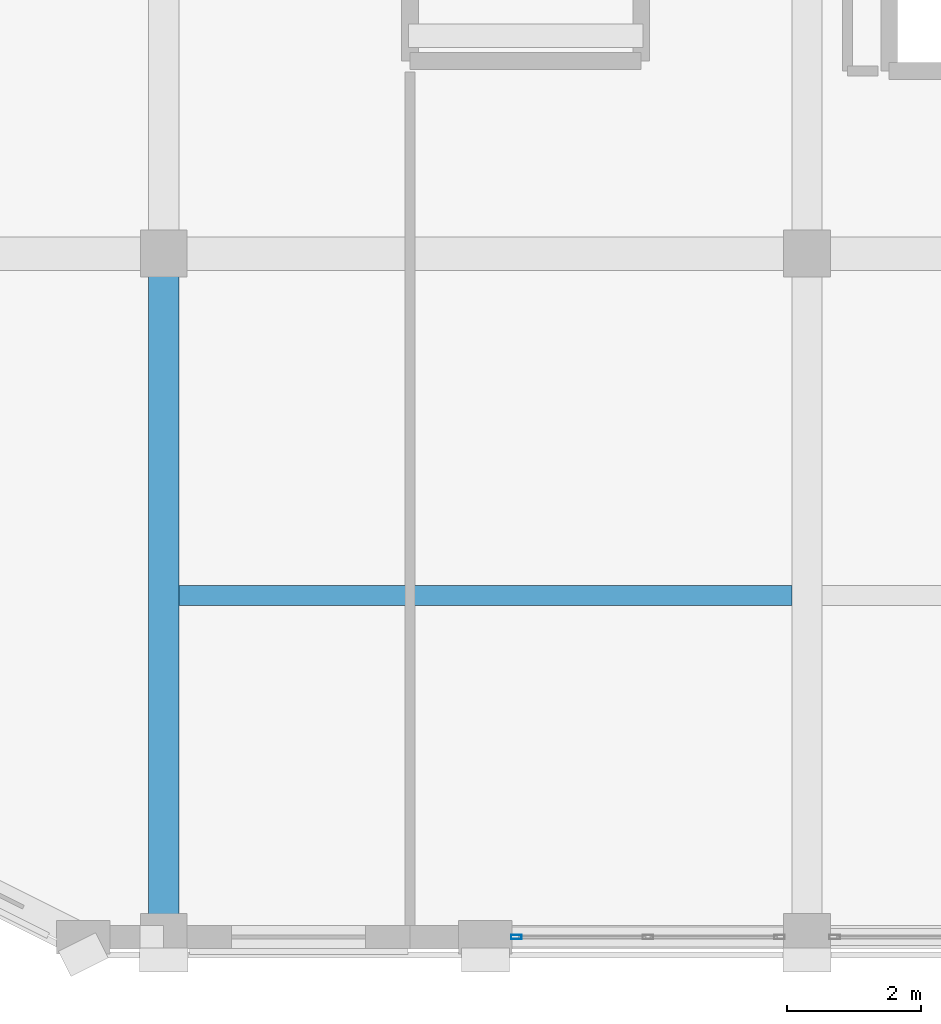
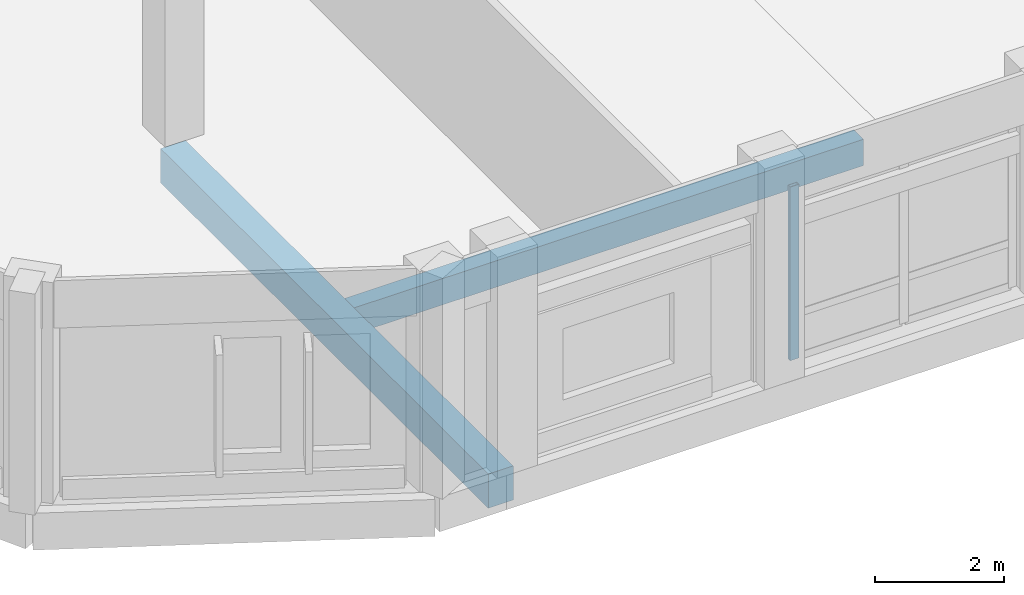
# One storey, part 20 of 185: 2 beams, 1 member, 1 element without a shape of its own.
"""IFC4 building model written with IfcOpenShell, lengths in metres."""

from ifc_helpers import new_model, si_unit, direction, frame, origin, origin_2d, place, context, subcontext, project, spatial, rectangle, hollow_rectangle, extrude, material, material_profile, profile_set, type_object, element, aggregate, save


model = new_model("IFC4")

# Units and contexts
model_context = context("Model", 3, precision=1e-05, world=origin(), true_north=direction((0.0, 1.0)))
body_context = subcontext(model_context, "Body", "Model", "MODEL_VIEW")
ifc_project = project(units=[si_unit("LENGTHUNIT", "METRE"), si_unit("AREAUNIT", "SQUARE_METRE"), si_unit("VOLUMEUNIT", "CUBIC_METRE"), si_unit("PLANEANGLEUNIT", "RADIAN"), si_unit("MASSUNIT", "GRAM", prefix="KILO")], contexts=[model_context])

# Site, building, storey
site_placement = place(None, origin())
site = spatial("IfcSite", under=ifc_project, at=site_placement, CompositionType="ELEMENT")
building_placement = place(site_placement, origin())
building = spatial("IfcBuilding", under=site, at=building_placement, Name="Vondelvale Polytechnic", CompositionType="ELEMENT")
storey_placement = place(building_placement, frame((0.0, 0.0, 9.60009765625)))
storey = spatial("IfcBuildingStorey", under=building, at=storey_placement, Name="L02", CompositionType="ELEMENT", Elevation=9.60009765625)

# Beam
ifc_material_1 = material(Name="Concrete N40 (f'c = 40 MPa)", Category="concrete")
ifc_material_profile_1 = material_profile(ifc_material_1, rectangle(XDim=0.449951171875, YDim=0.64990234375, at=origin_2d()), Name="RC-BM-450x650")
ifc_profile_set_1 = profile_set([ifc_material_profile_1], Name="Concrete N40 (f'c = 40 MPa)")
beam_type_1 = type_object("IfcBeamType", Name="BM-RC450x650", PredefinedType="BEAM", material=ifc_profile_set_1)
beam_1_placement = place(storey_placement, frame((9.60009765625, 0.0, -0.60498046875), z_axis=(0.0, 1.0, 0.0), x_axis=(-1.0, 0.0, 0.0)))
element("IfcBeam", 1, at=beam_1_placement, inside=storey, type_object=beam_type_1, Name="L02 B B-04", PredefinedType="BEAM", context=body_context, shape_type="SweptSolid", body=[
    extrude(rectangle(XDim=0.449951171875, YDim=0.64990234375, at=origin_2d()), origin(), (0.0, 0.0, 1.0), 10.199951171875),
])

# Curtain wall, member
ifc_material_2 = material(Name="Anodised extruded aluminium 6063-T6", Category="aluminium")
curtain_wall_type = type_object("IfcCurtainWallType", Name="CW-LIBRARY-BAY", PredefinedType="NOTDEFINED", material=ifc_material_2)
curtain_wall_placement = place(storey_placement, origin())
curtain_wall = element("IfcCurtainWall", 2, at=curtain_wall_placement, inside=storey, type_object=curtain_wall_type, Name="L02 architectural curtain wall CW-02-013", PredefinedType="NOTDEFINED")
ifc_material_profile_2 = material_profile(ifc_material_2, hollow_rectangle(XDim=0.06494140625, YDim=0.159912109375, WallThickness=0.0048828125, at=origin_2d()), Name="CW-MUL-160x65")
ifc_profile_set_2 = profile_set([ifc_material_profile_2], Name="Anodised extruded aluminium 6063-T6")
member_type = type_object("IfcMemberType", Name="CW-MUL-65x160", PredefinedType="MULLION", material=ifc_profile_set_2)
member_placement = place(storey_placement, frame((14.862548828125, 0.0, 0.0), z_axis=(0.0, 0.0, 1.0), x_axis=(0.0, 1.0, 0.0)))
member = element("IfcMember", 3, at=member_placement, type_object=member_type, Name="CW-02-013 mullion 1", PredefinedType="MULLION", context=body_context, shape_type="SweptSolid", body=[
    extrude(hollow_rectangle(XDim=0.06494140625, YDim=0.159912109375, WallThickness=0.0048828125, at=origin_2d()), origin(), (0.0, 0.0, 1.0), 3.2998046875),
])
aggregate(curtain_wall, [member])

# Beam
ifc_material_profile_3 = material_profile(ifc_material_1, rectangle(XDim=0.300048828125, YDim=0.5, at=origin_2d()), Name="RC-JST-300x500")
ifc_profile_set_3 = profile_set([ifc_material_profile_3], Name="Concrete N40 (f'c = 40 MPa)")
beam_type_2 = type_object("IfcBeamType", Name="JST-RC300x500", PredefinedType="JOIST", material=ifc_profile_set_3)
beam_2_placement = place(storey_placement, frame((9.824951171875, 5.10009765625, -0.530029296875), z_axis=(1.0, 0.0, 0.0), x_axis=(0.0, 1.0, 0.0)))
element("IfcBeam", 4, at=beam_2_placement, inside=storey, type_object=beam_type_2, Name="L02 J J-02", PredefinedType="JOIST", context=body_context, shape_type="SweptSolid", body=[
    extrude(rectangle(XDim=0.300048828125, YDim=0.5, at=origin_2d()), origin(), (0.0, 0.0, 1.0), 9.150146484375),
])

save(model, "model.ifc")
